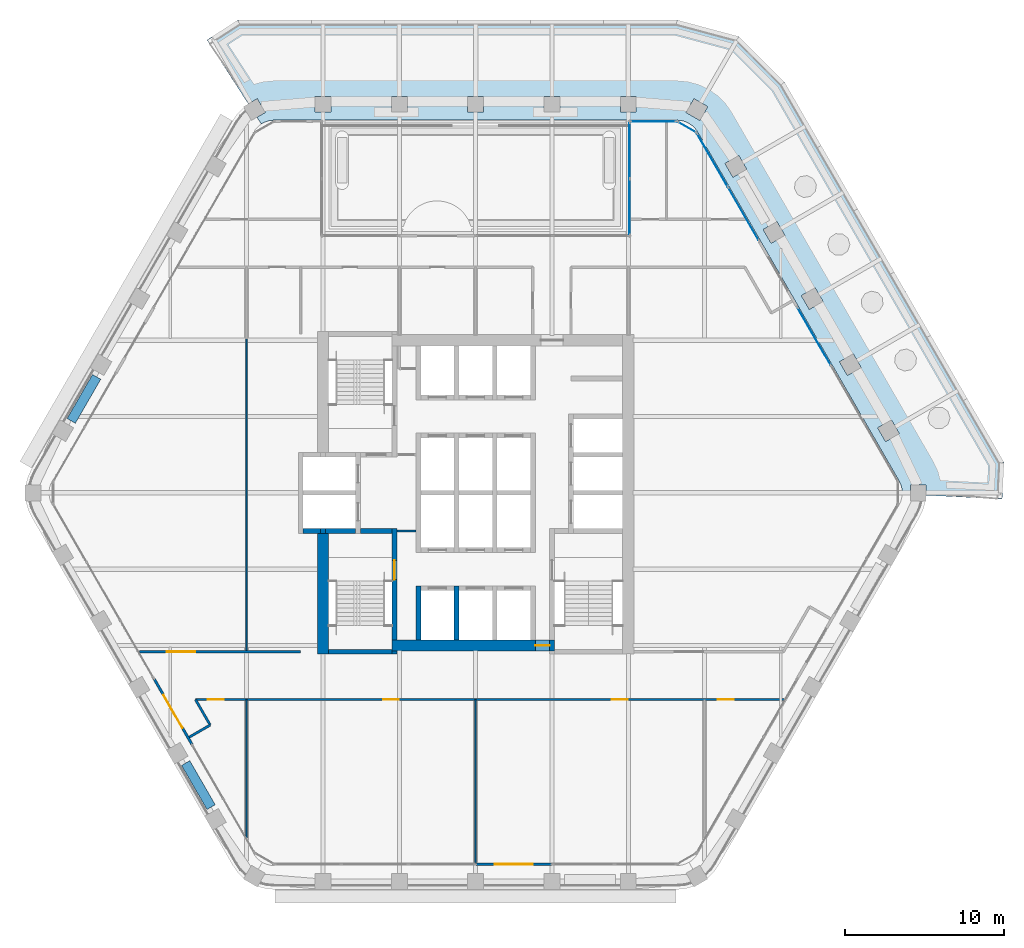
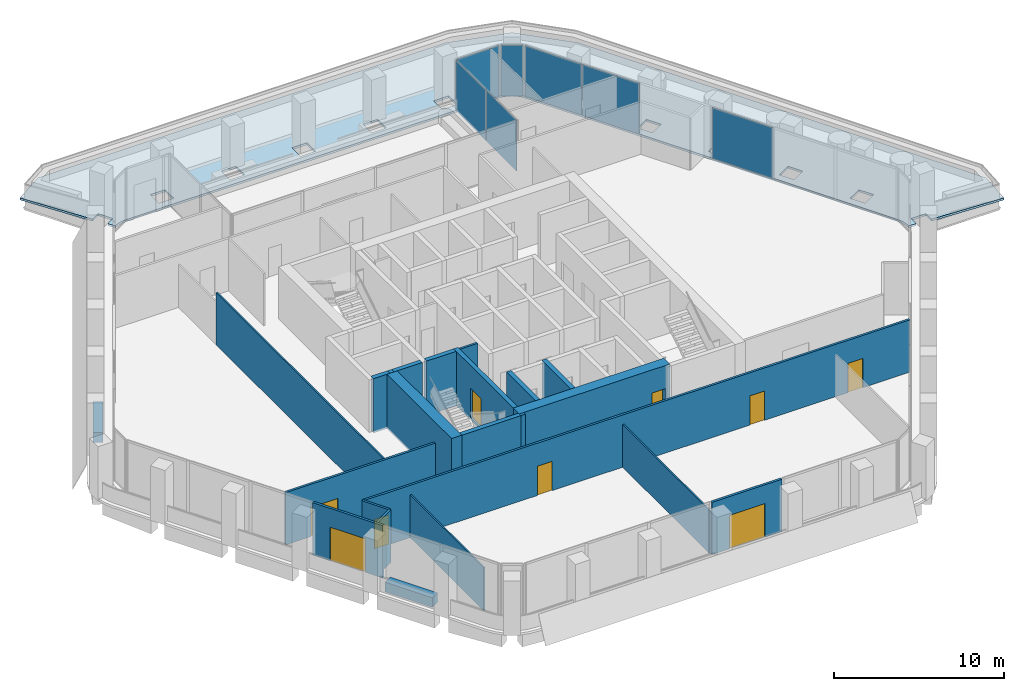
# One storey, part 11 of 17: 23 walls, 9 doors, 7 plates, 1 slab, 9 openings, 5 elements without a shape of their own.
"""IFC4 building model written with IfcOpenShell, lengths in metres."""

from ifc_helpers import new_model, si_unit, direction, frame, frame_2d, origin, origin_2d, place, context, subcontext, project, spatial, polyline, rectangle, outline, extrude, material, layer, layer_set, type_object, element, fill, aggregate, save


model = new_model("IFC4")

# Units and contexts
model_context = context("Model", 3, precision=1e-05, world=origin(), true_north=direction((0.0, 1.0)))
body_context = subcontext(model_context, "Body", "Model", "MODEL_VIEW")
ifc_project = project(units=[si_unit("LENGTHUNIT", "METRE"), si_unit("AREAUNIT", "SQUARE_METRE"), si_unit("VOLUMEUNIT", "CUBIC_METRE"), si_unit("PLANEANGLEUNIT", "RADIAN"), si_unit("MASSUNIT", "GRAM", prefix="KILO")], contexts=[model_context])

# Site, building, storey
site_placement = place(None, origin())
site = spatial("IfcSite", under=ifc_project, at=site_placement, CompositionType="ELEMENT")
building_placement = place(site_placement, origin())
building = spatial("IfcBuilding", under=site, at=building_placement, Name="Kolab Exchange Tower", CompositionType="ELEMENT")
storey_placement = place(building_placement, frame((0.0, 0.0, 166.10009765625)))
storey = spatial("IfcBuildingStorey", under=building, at=storey_placement, Name="L34", CompositionType="ELEMENT", Elevation=166.10009765625)

# Slab
ifc_material_1 = material(Name="Concrete C35/45", Category="concrete")
ifc_layer_1 = layer(ifc_material_1, 0.14990234375)
ifc_layer_set_1 = layer_set([ifc_layer_1], Name="Concrete C35/45")
slab_type = type_object("IfcSlabType", Name="TERRACE SLAB 150 PLANTED", PredefinedType="ROOF", material=ifc_layer_set_1)
slab_placement = place(storey_placement, frame((0.0, 0.0, -0.150146484375)))
element("IfcSlab", 1, at=slab_placement, inside=storey, type_object=slab_type, Name="Roof terrace", PredefinedType="ROOF", context=body_context, shape_type="SweptSolid", body=[
    extrude(outline(polyline([(-16.8955078125, 28.4853515625), (-14.2978515625, 24.464599609375), (-13.73486328125, 24.78955078125), (-13.23486328125, 23.923583984375), (-13.754638671875, 23.62353515625), (-13.4794921875, 23.197509765625), (-13.479248046875, 23.197509765625), (-13.418212890625, 23.240478515625), (-13.41796875, 23.240478515625), (-13.417724609375, 23.24072265625), (-13.18115234375, 23.35107421875), (-13.180908203125, 23.35107421875), (-12.9287109375, 23.418701171875), (-12.928466796875, 23.418701171875), (-12.92822265625, 23.418701171875), (-12.66796875, 23.44140625), (-12.66796875, 23.441650390625), (12.66796875, 23.441650390625), (12.66796875, 23.44140625), (12.92822265625, 23.418701171875), (12.928466796875, 23.418701171875), (12.9287109375, 23.418701171875), (13.180908203125, 23.35107421875), (13.18115234375, 23.35107421875), (13.417724609375, 23.24072265625), (13.41796875, 23.240478515625), (13.418212890625, 23.240478515625), (13.632080078125, 23.0908203125), (13.632080078125, 23.090576171875), (13.63232421875, 23.090576171875), (13.81689453125, 22.90576171875), (13.817138671875, 22.905517578125), (13.967041015625, 22.691650390625), (13.967041015625, 22.69140625), (26.635009765625, 0.75), (26.745361328125, 0.51318359375), (26.745361328125, 0.512939453125), (26.81298828125, 0.2607421875), (26.81298828125, 0.260498046875), (26.813232421875, 0.26025390625), (26.8359375, 0.000244140625), (26.8359375, 0.0), (26.8359375, -0.000244140625), (26.829345703125, -0.07470703125), (27.3359375, -0.10009765625), (27.3359375, 0.5), (28.3359375, 0.5), (28.3359375, -0.150146484375), (33.11669921875, -0.389404296875), (33.11669921875, -0.38916015625), (33.232421875, 1.922607421875), (33.232421875, 1.9228515625), (19.4228515625, 25.841552734375), (16.56787109375, 28.696533203125), (12.66796875, 29.741455078125), (-14.951171875, 29.741455078125), (-16.8955078125, 28.4853515625)]), holes=[polyline([(-10.10009765625, 23.941650390625), (-10.10009765625, 24.941650390625), (-9.10009765625, 24.941650390625), (-9.10009765625, 23.941650390625), (-10.10009765625, 23.941650390625)]), polyline([(-5.300048828125, 23.941650390625), (-5.300048828125, 24.941650390625), (-4.300048828125, 24.941650390625), (-4.300048828125, 23.941650390625), (-5.300048828125, 23.941650390625)]), polyline([(-0.5, 24.941650390625), (0.5, 24.941650390625), (0.5, 23.941650390625), (-0.5, 23.941650390625), (-0.5, 24.941650390625)]), polyline([(4.300048828125, 23.941650390625), (4.300048828125, 24.941650390625), (5.300048828125, 24.941650390625), (5.300048828125, 23.941650390625), (4.300048828125, 23.941650390625)]), polyline([(25.283935546875, 4.08984375), (26.14990234375, 4.58984375), (26.64990234375, 3.723876953125), (25.783935546875, 3.223876953125), (25.283935546875, 4.08984375)]), polyline([(22.884033203125, 8.246826171875), (23.75, 8.746826171875), (24.25, 7.880859375), (23.384033203125, 7.380859375), (22.884033203125, 8.246826171875)]), polyline([(20.48388671875, 12.40380859375), (21.35009765625, 12.90380859375), (21.85009765625, 12.037841796875), (20.98388671875, 11.537841796875), (20.48388671875, 12.40380859375)]), polyline([(18.083984375, 16.560791015625), (18.949951171875, 17.060791015625), (19.449951171875, 16.194580078125), (18.583984375, 15.694580078125), (18.083984375, 16.560791015625)]), polyline([(15.68408203125, 20.717529296875), (16.550048828125, 21.217529296875), (17.050048828125, 20.3515625), (16.18408203125, 19.8515625), (15.68408203125, 20.717529296875)]), polyline([(13.23486328125, 23.923583984375), (13.73486328125, 24.78955078125), (14.60107421875, 24.28955078125), (14.10107421875, 23.423583984375), (13.23486328125, 23.923583984375)]), polyline([(9.10009765625, 24.941650390625), (10.10009765625, 24.941650390625), (10.10009765625, 23.941650390625), (9.10009765625, 23.941650390625), (9.10009765625, 24.941650390625)])]), origin(), (0.0, 0.0, 1.0), 0.150146484375),
])

# Curtain wall, plates
ifc_material_2 = material(Name="Aluminium EN AW-6063 T6", Category="aluminium")
curtain_wall_type = type_object("IfcCurtainWallType", Name="UNITISED UPPER MID ZONE CURTAIN WALL", PredefinedType="NOTDEFINED", material=ifc_material_2)
curtain_wall_1_placement = place(storey_placement, origin())
curtain_wall_1 = element("IfcCurtainWall", 2, at=curtain_wall_1_placement, inside=storey, type_object=curtain_wall_type, Name="cw/L34/F1-rr-1", PredefinedType="NOTDEFINED")
ifc_material_3 = material(Name="Clear insulated glazing unit", Category="glass")
ifc_layer_2 = layer(ifc_material_3, 0.028076171875)
ifc_layer_set_2 = layer_set([ifc_layer_2], Name="Clear insulated glazing unit")
plate_type = type_object("IfcPlateType", Name="UNITISED UPPER MID ZONE GLASS PANEL 28", PredefinedType="CURTAIN_PANEL", material=ifc_layer_set_2)
plate_1_placement = place(storey_placement, frame((9.679931640625, 17.9765625, 0.06005859375), z_axis=(0.0, 0.0, 1.0), x_axis=(0.0, 1.0, 0.0)))
plate_1 = element("IfcPlate", 3, at=plate_1_placement, type_object=plate_type, Name="CW3 panel 1.1", PredefinedType="CURTAIN_PANEL", context=body_context, shape_type="SweptSolid", body=[
    extrude(rectangle(XDim=3.510009765625, YDim=0.028076171875, at=origin_2d()), origin(), (0.0, 0.0, 1.0), 3.6298828125),
])
plate_2_placement = place(storey_placement, frame((9.679931640625, 21.546630859375, 0.06005859375), z_axis=(0.0, 0.0, 1.0), x_axis=(0.0, 1.0, 0.0)))
plate_2 = element("IfcPlate", 4, at=plate_2_placement, type_object=plate_type, Name="CW3 panel 2.1", PredefinedType="CURTAIN_PANEL", context=body_context, shape_type="SweptSolid", body=[
    extrude(rectangle(XDim=3.510009765625, YDim=0.028076171875, at=origin_2d()), origin(), (0.0, 0.0, 1.0), 3.6298828125),
])
aggregate(curtain_wall_1, [plate_1, plate_2])

# Curtain wall, plate
curtain_wall_2_placement = place(storey_placement, origin())
curtain_wall_2 = element("IfcCurtainWall", 5, at=curtain_wall_2_placement, inside=storey, type_object=curtain_wall_type, Name="cw/L34/F1-r-1", PredefinedType="NOTDEFINED")
plate_3_placement = place(storey_placement, frame((11.174072265625, 23.361572265625, 0.06005859375), z_axis=(0.0, 0.0, 1.0), x_axis=(1.0, 0.0, 0.0)))
plate_3 = element("IfcPlate", 6, at=plate_3_placement, type_object=plate_type, Name="CW3 panel 1.1", PredefinedType="CURTAIN_PANEL", context=body_context, shape_type="SweptSolid", body=[
    extrude(rectangle(XDim=2.867919921875, YDim=0.028076171875, at=origin_2d()), origin(), (0.0, 0.0, 1.0), 3.6298828125),
])
aggregate(curtain_wall_2, [plate_3])

# Curtain wall, plates
curtain_wall_3_placement = place(storey_placement, origin())
curtain_wall_3 = element("IfcCurtainWall", 7, at=curtain_wall_3_placement, inside=storey, type_object=curtain_wall_type, Name="cw/L34/F2-1", PredefinedType="NOTDEFINED")
plate_4_placement = place(storey_placement, frame((14.888671875, 20.93505859375, 0.06005859375), z_axis=(0.0, 0.0, 1.0), x_axis=(0.500000031681, -0.866025385493, 0.0)))
plate_4 = element("IfcPlate", 8, at=plate_4_placement, type_object=plate_type, Name="CW3 panel 1.1", PredefinedType="CURTAIN_PANEL", context=body_context, shape_type="SweptSolid", body=[
    extrude(rectangle(XDim=3.843994140625, YDim=0.028076171875, at=origin_2d()), origin(), (0.0, 0.0, 1.0), 3.6298828125),
])
plate_5_placement = place(storey_placement, frame((16.840576171875, 17.55419921875, 0.06005859375), z_axis=(0.0, 0.0, 1.0), x_axis=(0.500000031681, -0.866025385493, 0.0)))
plate_5 = element("IfcPlate", 9, at=plate_5_placement, type_object=plate_type, Name="CW3 panel 2.1", PredefinedType="CURTAIN_PANEL", context=body_context, shape_type="SweptSolid", body=[
    extrude(rectangle(XDim=3.843994140625, YDim=0.028076171875, at=origin_2d()), origin(), (0.0, 0.0, 1.0), 3.6298828125),
])
aggregate(curtain_wall_3, [plate_4, plate_5])

# Curtain wall, plate
curtain_wall_4_placement = place(storey_placement, origin())
curtain_wall_4 = element("IfcCurtainWall", 10, at=curtain_wall_4_placement, inside=storey, type_object=curtain_wall_type, Name="cw/L34/F2-2", PredefinedType="NOTDEFINED")
plate_6_placement = place(storey_placement, frame((21.294921875, 9.83935546875, 0.06005859375), z_axis=(0.0, 0.0, 1.0), x_axis=(0.499999958358, -0.866025427826, 0.0)))
plate_6 = element("IfcPlate", 11, at=plate_6_placement, type_object=plate_type, Name="CW3 panel 1.1", PredefinedType="CURTAIN_PANEL", context=body_context, shape_type="SweptSolid", body=[
    extrude(rectangle(XDim=4.132568359375, YDim=0.028076171875, at=origin_2d()), origin(), (0.0, 0.0, 1.0), 3.6298828125),
])
aggregate(curtain_wall_4, [plate_6])

curtain_wall_5_placement = place(storey_placement, origin())
curtain_wall_5 = element("IfcCurtainWall", 12, at=curtain_wall_5_placement, inside=storey, type_object=curtain_wall_type, Name="cw/L34/F1F2-corner", PredefinedType="NOTDEFINED")
plate_7_placement = place(storey_placement, frame((13.28271484375, 23.006591796875, 0.06005859375), z_axis=(0.0, 0.0, 1.0), x_axis=(0.866025390869, -0.50000002237, 0.0)))
plate_7 = element("IfcPlate", 13, at=plate_7_placement, type_object=plate_type, Name="CW3 panel 1.1", PredefinedType="CURTAIN_PANEL", context=body_context, shape_type="SweptSolid", body=[
    extrude(rectangle(XDim=1.300048828125, YDim=0.028076171875, at=origin_2d()), origin(), (0.0, 0.0, 1.0), 3.6298828125),
])
aggregate(curtain_wall_5, [plate_7])

# Wall, opening, door
ifc_material_4 = material(Name="Concrete C60/75", Category="concrete")
ifc_layer_3 = layer(ifc_material_4, 0.699951171875)
ifc_layer_set_3 = layer_set([ifc_layer_3], Name="Concrete C60/75")
wall_type_1 = type_object("IfcWallType", Name="CORE WALL 700 C60/75", PredefinedType="SHEAR", material=ifc_layer_set_3)
wall_1_placement = place(storey_placement, frame((-5.25, -9.60009765625, -0.150146484375), z_axis=(0.0, 0.0, 1.0), x_axis=(1.0, 0.0, 0.0)))
wall_1 = element("IfcWall", 14, at=wall_1_placement, inside=storey, type_object=wall_type_1, Name="wall/L34/core/002", PredefinedType="SHEAR", context=body_context, shape_type="SweptSolid", body=[
    extrude(rectangle(XDim=10.199951171875, YDim=0.699951171875, at=frame_2d((5.10009765625, 0.0))), origin(), (0.0, 0.0, 1.0), 3.900146484375),
])
opening_1_placement = place(wall_1_placement, frame((9.0, 0.0, 0.14990234375)))
opening_1 = element("IfcOpeningElement", 15, at=opening_1_placement, cuts=wall_1, Name="Opening D6-287", PredefinedType="OPENING", context=body_context, shape_type="SweptSolid", body=[
    extrude(rectangle(XDim=0.89990234375, YDim=2.10009765625, at=frame_2d((0.449951171875, 1.050048828125))), frame((0.0, 0.35986328125, 0.0), z_axis=(0.0, -1.0, 0.0), x_axis=(1.0, 0.0, 0.0)), (0.0, 0.0, 1.0), 0.719970703125),
])
ifc_material_5 = material(Name="Steel S235", Category="steel")
door_type_1 = type_object("IfcDoorType", Name="CORE DOOR 900 EI 120", OperationType="SINGLE_SWING_LEFT", PredefinedType="DOOR", material=ifc_material_5)
door_1_placement = place(opening_1_placement, origin())
door_1 = element("IfcDoor", 16, at=door_1_placement, inside=storey, type_object=door_type_1, Name="Core lobby door", OperationType="SINGLE_SWING_LEFT", OverallHeight=2.10009765625, OverallWidth=0.89990234375, PredefinedType="DOOR", context=body_context, shape_type="SweptSolid", body=[
    extrude(rectangle(XDim=0.89990234375, YDim=2.10009765625, at=frame_2d((0.449951171875, 1.050048828125))), frame((0.0, 0.02490234375, 0.0), z_axis=(0.0, -1.0, 0.0), x_axis=(1.0, 0.0, 0.0)), (0.0, 0.0, 1.0), 0.050048828125),
])
fill(opening_1, door_1)

# Wall
wall_2_placement = place(storey_placement, frame((-9.60009765625, -10.14990234375, -0.150146484375), z_axis=(0.0, 0.0, 1.0), x_axis=(0.0, 1.0, 0.0)))
element("IfcWall", 17, at=wall_2_placement, inside=storey, type_object=wall_type_1, Name="wall/L34/core/034", PredefinedType="SHEAR", context=body_context, shape_type="SweptSolid", body=[
    extrude(rectangle(XDim=7.599853515625, YDim=0.699951171875, at=frame_2d((3.7998046875, 0.0))), origin(), (0.0, 0.0, 1.0), 3.900146484375),
])

# Wall, opening, door
ifc_layer_4 = layer(ifc_material_2, 0.159912109375)
ifc_layer_set_4 = layer_set([ifc_layer_4], Name="Aluminium EN AW-6063 T6")
wall_type_2 = type_object("IfcWallType", Name="DOOR SURROUND WALL 160 ALUMINIUM FRAMED", PredefinedType="PARTITIONING", material=ifc_layer_set_4)
wall_3_placement = place(storey_placement, frame((4.77001953125, -23.361572265625, 0.0), z_axis=(0.0, 0.0, 1.0), x_axis=(-1.0, 0.0, 0.0)))
wall_3 = element("IfcWall", 18, at=wall_3_placement, inside=storey, type_object=wall_type_2, Name="Door surround wall", PredefinedType="PARTITIONING", context=body_context, shape_type="SweptSolid", body=[
    extrude(rectangle(XDim=4.739990234375, YDim=0.159912109375, at=frame_2d((2.3701171875, 0.0))), origin(), (0.0, 0.0, 1.0), 3.75),
])
opening_2_placement = place(wall_3_placement, frame((1.169921875, 0.0, 0.0)))
opening_2 = element("IfcOpeningElement", 19, at=opening_2_placement, cuts=wall_3, Name="Opening GD1-067", PredefinedType="OPENING", context=body_context, shape_type="SweptSolid", body=[
    extrude(rectangle(XDim=2.39990234375, YDim=2.39990234375, at=frame_2d((1.199951171875, 1.199951171875))), frame((0.0, 0.08984375, 0.0), z_axis=(0.0, -1.0, 0.0), x_axis=(1.0, 0.0, 0.0)), (0.0, 0.0, 1.0), 0.179931640625),
])
door_type_2 = type_object("IfcDoorType", Name="LOGGIA SLIDING GLASS DOOR 2400 X 2400", OperationType="DOUBLE_DOOR_SINGLE_SWING", PredefinedType="DOOR", material=ifc_material_2)
door_2_placement = place(opening_2_placement, origin())
door_2 = element("IfcDoor", 20, at=door_2_placement, inside=storey, type_object=door_type_2, Name="Loggia door", OperationType="DOUBLE_DOOR_SLIDING", OverallHeight=2.39990234375, OverallWidth=2.39990234375, PredefinedType="DOOR", context=body_context, shape_type="SweptSolid", body=[
    extrude(rectangle(XDim=2.39990234375, YDim=2.39990234375, at=frame_2d((1.199951171875, 1.199951171875))), frame((0.0, 0.02490234375, 0.0), z_axis=(0.0, -1.0, 0.0), x_axis=(1.0, 0.0, 0.0)), (0.0, 0.0, 1.0), 0.050048828125),
])
fill(opening_2, door_2)

wall_4_placement = place(storey_placement, frame((-17.8466796875, -15.811767578125, 0.0), z_axis=(0.0, 0.0, 1.0), x_axis=(-0.5000167099, 0.866015756104, 0.0)))
wall_4 = element("IfcWall", 21, at=wall_4_placement, inside=storey, type_object=wall_type_2, Name="Door surround wall", PredefinedType="PARTITIONING", context=body_context, shape_type="SweptSolid", body=[
    extrude(rectangle(XDim=4.739990234375, YDim=0.159912109375, at=frame_2d((2.3701171875, 0.0))), origin(), (0.0, 0.0, 1.0), 3.75),
])
opening_3_placement = place(wall_4_placement, frame((1.169921875, 0.0, 0.0)))
opening_3 = element("IfcOpeningElement", 22, at=opening_3_placement, cuts=wall_4, Name="Opening GD1-068", PredefinedType="OPENING", context=body_context, shape_type="SweptSolid", body=[
    extrude(rectangle(XDim=2.39990234375, YDim=2.39990234375, at=frame_2d((1.199951171875, 1.199951171875))), frame((0.0, 0.08984375, 0.0), z_axis=(0.0, -1.0, 0.0), x_axis=(1.0, 0.0, 0.0)), (0.0, 0.0, 1.0), 0.179931640625),
])
door_3_placement = place(opening_3_placement, origin())
door_3 = element("IfcDoor", 23, at=door_3_placement, inside=storey, type_object=door_type_2, Name="Loggia door", OperationType="DOUBLE_DOOR_SLIDING", OverallHeight=2.39990234375, OverallWidth=2.39990234375, PredefinedType="DOOR", context=body_context, shape_type="SweptSolid", body=[
    extrude(rectangle(XDim=2.39990234375, YDim=2.39990234375, at=frame_2d((1.199951171875, 1.199951171875))), frame((0.0, 0.02490234375, 0.0), z_axis=(0.0, -1.0, 0.0), x_axis=(1.0, 0.0, 0.0)), (0.0, 0.0, 1.0), 0.050048828125),
])
fill(opening_3, door_3)

# Walls
ifc_material_6 = material(Name="Concrete C50/60", Category="concrete")
ifc_layer_5 = layer(ifc_material_6, 0.300048828125)
ifc_layer_set_5 = layer_set([ifc_layer_5], Name="Concrete C50/60")
wall_type_3 = type_object("IfcWallType", Name="LIFT SHAFT WALL 300 C50/60", PredefinedType="STANDARD", material=ifc_layer_set_5)
wall_5_placement = place(storey_placement, frame((-10.85009765625, -2.39990234375, -0.150146484375), z_axis=(0.0, 0.0, 1.0), x_axis=(1.0, 0.0, 0.0)))
element("IfcWall", 24, at=wall_5_placement, inside=storey, type_object=wall_type_3, Name="wall/L34/core/009", PredefinedType="STANDARD", context=body_context, shape_type="SweptSolid", body=[
    extrude(rectangle(XDim=1.10009765625, YDim=0.300048828125, at=frame_2d((0.550048828125, 0.0))), origin(), (0.0, 0.0, 1.0), 3.900146484375),
])
for number, where, z_axis, x_axis, name in (
    (25, (-3.60009765625, -9.25, -0.150146484375), (0.0, 0.0, 1.0), (0.0, 1.0, 0.0), "wall/L34/core/043"),
    (26, (-1.199951171875, -9.25, -0.150146484375), (0.0, 0.0, 1.0), (0.0, 1.0, 0.0), "wall/L34/core/046"),
):
    element("IfcWall", number, at=place(storey_placement, frame(where, z_axis=z_axis, x_axis=x_axis)), inside=storey, type_object=wall_type_3, Name=name, PredefinedType="STANDARD", context=body_context, shape_type="SweptSolid", body=[
        extrude(rectangle(XDim=3.39990234375, YDim=0.300048828125, at=frame_2d((1.699951171875, 0.0))), origin(), (0.0, 0.0, 1.0), 3.900146484375),
    ])
ifc_material_7 = material(Name="Gypsum board", Category="gypsum")
ifc_layer_6 = layer(ifc_material_7, 0.10009765625)
ifc_layer_set_6 = layer_set([ifc_layer_6], Name="Gypsum board")
wall_type_4 = type_object("IfcWallType", Name="PARTITION 100", PredefinedType="PARTITIONING", material=ifc_layer_set_6)
wall_6_placement = place(storey_placement, frame((0.0, -23.281494140625, 0.0), z_axis=(0.0, 0.0, 1.0), x_axis=(0.0, 1.0, 0.0)))
element("IfcWall", 27, at=wall_6_placement, inside=storey, type_object=wall_type_4, Name="Partition 005", PredefinedType="PARTITIONING", context=body_context, shape_type="SweptSolid", body=[
    extrude(rectangle(XDim=10.281494140625, YDim=0.10009765625, at=frame_2d((5.140625, 0.0))), origin(), (0.0, 0.0, 1.0), 3.06591796875),
])
wall_7_placement = place(storey_placement, frame((-14.39990234375, -21.701416015625, 0.0), z_axis=(0.0, 0.0, 1.0), x_axis=(0.0, 1.0, 0.0)))
element("IfcWall", 28, at=wall_7_placement, inside=storey, type_object=wall_type_4, Name="Partition 010", PredefinedType="PARTITIONING", context=body_context, shape_type="SweptSolid", body=[
    extrude(rectangle(XDim=8.701416015625, YDim=0.10009765625, at=frame_2d((4.3505859375, 0.0))), origin(), (0.0, 0.0, 1.0), 3.06591796875),
])
wall_8_placement = place(storey_placement, frame((-14.39990234375, -10.0, 0.0), z_axis=(0.0, 0.0, 1.0), x_axis=(0.0, 1.0, 0.0)))
element("IfcWall", 29, at=wall_8_placement, inside=storey, type_object=wall_type_4, Name="Partition 011", PredefinedType="PARTITIONING", context=body_context, shape_type="SweptSolid", body=[
    extrude(rectangle(XDim=19.693603515625, YDim=0.10009765625, at=frame_2d((9.8466796875, 0.0))), origin(), (0.0, 0.0, 1.0), 3.75),
])
ifc_layer_7 = layer(ifc_material_7, 0.14990234375)
ifc_layer_set_7 = layer_set([ifc_layer_7], Name="Gypsum board")
wall_type_5 = type_object("IfcWallType", Name="PARTITION 150 FIRE-RATED", PredefinedType="PARTITIONING", material=ifc_layer_set_7)
wall_9_placement = place(storey_placement, frame((-17.62255859375, -13.0, 0.0), z_axis=(0.0, 0.0, 1.0), x_axis=(0.500007577232, -0.866021029023, 0.0)))
element("IfcWall", 30, at=wall_9_placement, inside=storey, type_object=wall_type_5, Name="Partition 012", PredefinedType="PARTITIONING", context=body_context, shape_type="SweptSolid", body=[
    extrude(rectangle(XDim=1.85302734375, YDim=0.14990234375, at=frame_2d((0.926513671875, 0.0))), origin(), (0.0, 0.0, 1.0), 3.75),
])
wall_10_placement = place(storey_placement, frame((-18.012451171875, -15.36474609375, 0.0), z_axis=(0.0, 0.0, 1.0), x_axis=(0.866030456496, 0.499991248344, 0.0)))
element("IfcWall", 31, at=wall_10_placement, inside=storey, type_object=wall_type_5, Name="Partition 016", PredefinedType="PARTITIONING", context=body_context, shape_type="SweptSolid", body=[
    extrude(rectangle(XDim=1.52001953125, YDim=0.14990234375, at=frame_2d((0.760009765625, 0.0))), origin(), (0.0, 0.0, 1.0), 3.75),
])

# Wall, openings, doors
wall_11_placement = place(storey_placement, frame((-17.62255859375, -13.0, 0.0), z_axis=(0.0, 0.0, 1.0), x_axis=(1.0, 0.0, 0.0)))
wall_11 = element("IfcWall", 32, at=wall_11_placement, inside=storey, type_object=wall_type_5, Name="Partition 018", PredefinedType="PARTITIONING", context=body_context, shape_type="SweptSolid", body=[
    extrude(rectangle(XDim=37.04638671875, YDim=0.14990234375, at=frame_2d((18.523193359375, 0.0))), origin(), (0.0, 0.0, 1.0), 3.75),
])
opening_4_placement = place(wall_11_placement, frame((0.780517578125, 0.0, 0.0)))
opening_4 = element("IfcOpeningElement", 33, at=opening_4_placement, cuts=wall_11, Name="Opening D1-468", PredefinedType="OPENING", context=body_context, shape_type="SweptSolid", body=[
    extrude(rectangle(XDim=1.0, YDim=2.10009765625, at=frame_2d((0.5, 1.050048828125))), frame((0.0, 0.0849609375, 0.0), z_axis=(0.0, -1.0, 0.0), x_axis=(1.0, 0.0, 0.0)), (0.0, 0.0, 1.0), 0.169921875),
])
opening_5_placement = place(wall_11_placement, frame((11.797607421875, 0.0, 0.0)))
opening_5 = element("IfcOpeningElement", 34, at=opening_5_placement, cuts=wall_11, Name="Opening D1-469", PredefinedType="OPENING", context=body_context, shape_type="SweptSolid", body=[
    extrude(rectangle(XDim=1.0, YDim=2.10009765625, at=frame_2d((0.5, 1.050048828125))), frame((0.0, 0.0849609375, 0.0), z_axis=(0.0, -1.0, 0.0), x_axis=(1.0, 0.0, 0.0)), (0.0, 0.0, 1.0), 0.169921875),
])
opening_6_placement = place(wall_11_placement, frame((26.197509765625, 0.0, 0.0)))
opening_6 = element("IfcOpeningElement", 35, at=opening_6_placement, cuts=wall_11, Name="Opening D1-470", PredefinedType="OPENING", context=body_context, shape_type="SweptSolid", body=[
    extrude(rectangle(XDim=1.0, YDim=2.10009765625, at=frame_2d((0.5, 1.050048828125))), frame((0.0, 0.0849609375, 0.0), z_axis=(0.0, -1.0, 0.0), x_axis=(1.0, 0.0, 0.0)), (0.0, 0.0, 1.0), 0.169921875),
])
opening_7_placement = place(wall_11_placement, frame((32.85693359375, 0.0, 0.0)))
opening_7 = element("IfcOpeningElement", 36, at=opening_7_placement, cuts=wall_11, Name="Opening D1-471", PredefinedType="OPENING", context=body_context, shape_type="SweptSolid", body=[
    extrude(rectangle(XDim=1.0, YDim=2.10009765625, at=frame_2d((0.5, 1.050048828125))), frame((0.0, 0.0849609375, 0.0), z_axis=(0.0, -1.0, 0.0), x_axis=(1.0, 0.0, 0.0)), (0.0, 0.0, 1.0), 0.169921875),
])
door_type_3 = type_object("IfcDoorType", Name="FLUSH DOOR 1000 FD60", OperationType="SINGLE_SWING_LEFT", PredefinedType="DOOR", material=ifc_material_5)
door_4_placement = place(opening_4_placement, frame((1.0, 0.0, 0.0), z_axis=(0.0, 0.0, 1.0), x_axis=(-1.0, 0.0, 0.0)))
door_4 = element("IfcDoor", 37, at=door_4_placement, inside=storey, type_object=door_type_3, Name="Door L34-036", OperationType="SINGLE_SWING_LEFT", OverallHeight=2.10009765625, OverallWidth=1.0, PredefinedType="DOOR", context=body_context, shape_type="SweptSolid", body=[
    extrude(rectangle(XDim=1.0, YDim=2.10009765625, at=frame_2d((0.5, 1.050048828125))), frame((0.0, 0.02490234375, 0.0), z_axis=(0.0, -1.0, 0.0), x_axis=(1.0, 0.0, 0.0)), (0.0, 0.0, 1.0), 0.050048828125),
])
fill(opening_4, door_4)
door_5_placement = place(opening_5_placement, frame((1.0, 0.0, 0.0), z_axis=(0.0, 0.0, 1.0), x_axis=(-1.0, 0.0, 0.0)))
door_5 = element("IfcDoor", 38, at=door_5_placement, inside=storey, type_object=door_type_3, Name="Door L34-037", OperationType="SINGLE_SWING_RIGHT", OverallHeight=2.10009765625, OverallWidth=1.0, PredefinedType="DOOR", context=body_context, shape_type="SweptSolid", body=[
    extrude(rectangle(XDim=1.0, YDim=2.10009765625, at=frame_2d((0.5, 1.050048828125))), frame((0.0, 0.02490234375, 0.0), z_axis=(0.0, -1.0, 0.0), x_axis=(1.0, 0.0, 0.0)), (0.0, 0.0, 1.0), 0.050048828125),
])
fill(opening_5, door_5)
door_6_placement = place(opening_6_placement, frame((1.0, 0.0, 0.0), z_axis=(0.0, 0.0, 1.0), x_axis=(-1.0, 0.0, 0.0)))
door_6 = element("IfcDoor", 39, at=door_6_placement, inside=storey, type_object=door_type_3, Name="Door L34-038", OperationType="SINGLE_SWING_RIGHT", OverallHeight=2.10009765625, OverallWidth=1.0, PredefinedType="DOOR", context=body_context, shape_type="SweptSolid", body=[
    extrude(rectangle(XDim=1.0, YDim=2.10009765625, at=frame_2d((0.5, 1.050048828125))), frame((0.0, 0.02490234375, 0.0), z_axis=(0.0, -1.0, 0.0), x_axis=(1.0, 0.0, 0.0)), (0.0, 0.0, 1.0), 0.050048828125),
])
fill(opening_6, door_6)
door_7_placement = place(opening_7_placement, frame((1.0, 0.0, 0.0), z_axis=(0.0, 0.0, 1.0), x_axis=(-1.0, 0.0, 0.0)))
door_7 = element("IfcDoor", 40, at=door_7_placement, inside=storey, type_object=door_type_3, Name="Door L34-039", OperationType="SINGLE_SWING_LEFT", OverallHeight=2.10009765625, OverallWidth=1.0, PredefinedType="DOOR", context=body_context, shape_type="SweptSolid", body=[
    extrude(rectangle(XDim=1.0, YDim=2.10009765625, at=frame_2d((0.5, 1.050048828125))), frame((0.0, 0.02490234375, 0.0), z_axis=(0.0, -1.0, 0.0), x_axis=(1.0, 0.0, 0.0)), (0.0, 0.0, 1.0), 0.050048828125),
])
fill(opening_7, door_7)

# Wall, opening, door
wall_12_placement = place(storey_placement, frame((-21.156005859375, -10.0, 0.0), z_axis=(0.0, 0.0, 1.0), x_axis=(1.0, 0.0, 0.0)))
wall_12 = element("IfcWall", 41, at=wall_12_placement, inside=storey, type_object=wall_type_5, Name="Partition 019", PredefinedType="PARTITIONING", context=body_context, shape_type="SweptSolid", body=[
    extrude(rectangle(XDim=10.156005859375, YDim=0.14990234375, at=frame_2d((5.078125, 0.0))), origin(), (0.0, 0.0, 1.0), 3.75),
])
opening_8_placement = place(wall_12_placement, frame((1.734619140625, 0.0, 0.0)))
opening_8 = element("IfcOpeningElement", 42, at=opening_8_placement, cuts=wall_12, Name="Opening D2-049", PredefinedType="OPENING", context=body_context, shape_type="SweptSolid", body=[
    extrude(rectangle(XDim=1.800048828125, YDim=2.10009765625, at=frame_2d((0.89990234375, 1.050048828125))), frame((0.0, 0.0849609375, 0.0), z_axis=(0.0, -1.0, 0.0), x_axis=(1.0, 0.0, 0.0)), (0.0, 0.0, 1.0), 0.169921875),
])
door_type_4 = type_object("IfcDoorType", Name="DOUBLE DOOR 1800 FD60", OperationType="DOUBLE_DOOR_SINGLE_SWING", PredefinedType="DOOR", material=ifc_material_5)
door_8_placement = place(opening_8_placement, origin())
door_8 = element("IfcDoor", 43, at=door_8_placement, inside=storey, type_object=door_type_4, Name="Door L34-041", OperationType="SINGLE_SWING_LEFT", OverallHeight=2.10009765625, OverallWidth=1.800048828125, PredefinedType="DOOR", context=body_context, shape_type="SweptSolid", body=[
    extrude(rectangle(XDim=1.800048828125, YDim=2.10009765625, at=frame_2d((0.89990234375, 1.050048828125))), frame((0.0, 0.02490234375, 0.0), z_axis=(0.0, -1.0, 0.0), x_axis=(1.0, 0.0, 0.0)), (0.0, 0.0, 1.0), 0.050048828125),
])
fill(opening_8, door_8)

# Walls
wall_13_placement = place(storey_placement, frame((-4.949951171875, -2.39990234375, 0.0), z_axis=(0.0, 0.0, 1.0), x_axis=(1.0, 0.0, 0.0)))
element("IfcWall", 44, at=wall_13_placement, inside=storey, type_object=wall_type_5, Name="Fire partition", PredefinedType="PARTITIONING", context=body_context, shape_type="SweptSolid", body=[
    extrude(rectangle(XDim=1.199951171875, YDim=0.14990234375, at=frame_2d((0.60009765625, 0.0))), origin(), (0.0, 0.0, 1.0), 3.75),
])
ifc_material_8 = material(Name="Granite facing", Category="masonry")
ifc_layer_8 = layer(ifc_material_8, 0.0400390625)
ifc_material_9 = material(Name="Concrete C40/50 precast", Category="concrete")
ifc_layer_9 = layer(ifc_material_9, 0.56005859375)
ifc_layer_set_8 = layer_set([ifc_layer_8, ifc_layer_9], Name="Concrete C40/50 precast")
wall_type_6 = type_object("IfcWallType", Name="PLANTER BOX 600 X 700 SOIL DEPTH 550", PredefinedType="USERDEFINED", material=ifc_layer_set_8)
wall_14_placement = place(storey_placement, frame((-16.636962890625, -19.766845703125, 0.0), z_axis=(0.0, 0.0, 1.0), x_axis=(-0.500028443584, 0.866008981251, 0.0)))
element("IfcWall", 45, at=wall_14_placement, inside=storey, type_object=wall_type_6, Name="Planter", ObjectType="PLANTER", PredefinedType="USERDEFINED", context=body_context, shape_type="SweptSolid", body=[
    extrude(rectangle(XDim=3.199951171875, YDim=0.60009765625, at=frame_2d((1.60009765625, 0.0))), origin(), (0.0, 0.0, 1.0), 0.699951171875),
])
wall_15_placement = place(storey_placement, frame((-25.43701171875, 4.524658203125, 0.0), z_axis=(0.0, 0.0, 1.0), x_axis=(0.499938187974, 0.866061088033, 0.0)))
element("IfcWall", 46, at=wall_15_placement, inside=storey, type_object=wall_type_6, Name="Planter", ObjectType="PLANTER", PredefinedType="USERDEFINED", context=body_context, shape_type="SweptSolid", body=[
    extrude(rectangle(XDim=3.2001953125, YDim=0.60009765625, at=frame_2d((1.60009765625, 0.0))), origin(), (0.0, 0.0, 1.0), 0.699951171875),
])
ifc_layer_10 = layer(ifc_material_6, 0.300048828125)
ifc_layer_set_9 = layer_set([ifc_layer_10], Name="Concrete C50/60")
wall_type_7 = type_object("IfcWallType", Name="STAIR ENCLOSURE WALL 300 C50/60", PredefinedType="STANDARD", material=ifc_layer_set_9)
wall_16_placement = place(storey_placement, frame((-9.25, -10.0, -0.150146484375), z_axis=(0.0, 0.0, 1.0), x_axis=(1.0, 0.0, 0.0)))
element("IfcWall", 47, at=wall_16_placement, inside=storey, type_object=wall_type_7, Name="wall/L34/core/000", PredefinedType="STANDARD", context=body_context, shape_type="SweptSolid", body=[
    extrude(rectangle(XDim=4.0, YDim=0.300048828125, at=frame_2d((2.0, 0.0))), origin(), (0.0, 0.0, 1.0), 3.900146484375),
])
wall_17_placement = place(storey_placement, frame((-9.449951171875, -2.39990234375, -0.150146484375), z_axis=(0.0, 0.0, 1.0), x_axis=(1.0, 0.0, 0.0)))
element("IfcWall", 48, at=wall_17_placement, inside=storey, type_object=wall_type_7, Name="wall/L34/core/010", PredefinedType="STANDARD", context=body_context, shape_type="SweptSolid", body=[
    extrude(rectangle(XDim=1.89990234375, YDim=0.300048828125, at=frame_2d((0.949951171875, 0.0))), origin(), (0.0, 0.0, 1.0), 3.900146484375),
])
wall_18_placement = place(storey_placement, frame((-7.25, -2.39990234375, -0.150146484375), z_axis=(0.0, 0.0, 1.0), x_axis=(1.0, 0.0, 0.0)))
element("IfcWall", 49, at=wall_18_placement, inside=storey, type_object=wall_type_7, Name="wall/L34/core/011", PredefinedType="STANDARD", context=body_context, shape_type="SweptSolid", body=[
    extrude(rectangle(XDim=2.0, YDim=0.300048828125, at=frame_2d((1.0, 0.0))), origin(), (0.0, 0.0, 1.0), 3.900146484375),
])
wall_19_placement = place(storey_placement, frame((-9.60009765625, -2.550048828125, -0.150146484375), z_axis=(0.0, 0.0, 1.0), x_axis=(0.0, 1.0, 0.0)))
element("IfcWall", 50, at=wall_19_placement, inside=storey, type_object=wall_type_7, Name="wall/L34/core/035", PredefinedType="STANDARD", context=body_context, shape_type="SweptSolid", body=[
    extrude(rectangle(XDim=0.300048828125, YDim=0.300048828125, at=frame_2d((0.14990234375, 0.0))), origin(), (0.0, 0.0, 1.0), 3.900146484375),
])
wall_20_placement = place(storey_placement, frame((-5.10009765625, -10.14990234375, -0.150146484375), z_axis=(0.0, 0.0, 1.0), x_axis=(0.0, 1.0, 0.0)))
element("IfcWall", 51, at=wall_20_placement, inside=storey, type_object=wall_type_7, Name="wall/L34/core/039", PredefinedType="STANDARD", context=body_context, shape_type="SweptSolid", body=[
    extrude(rectangle(XDim=0.199951171875, YDim=0.300048828125, at=frame_2d((0.10009765625, 0.0))), origin(), (0.0, 0.0, 1.0), 3.900146484375),
])

# Wall, opening, door
wall_21_placement = place(storey_placement, frame((-5.10009765625, -9.25, -0.150146484375), z_axis=(0.0, 0.0, 1.0), x_axis=(0.0, 1.0, 0.0)))
wall_21 = element("IfcWall", 52, at=wall_21_placement, inside=storey, type_object=wall_type_7, Name="wall/L34/core/040", PredefinedType="STANDARD", context=body_context, shape_type="SweptSolid", body=[
    extrude(rectangle(XDim=7.0, YDim=0.300048828125, at=frame_2d((3.5, 0.0))), origin(), (0.0, 0.0, 1.0), 3.900146484375),
])
opening_9_placement = place(wall_21_placement, frame((3.800048828125, 0.0, 0.14990234375)))
opening_9 = element("IfcOpeningElement", 53, at=opening_9_placement, cuts=wall_21, Name="Opening D4-068", PredefinedType="OPENING", context=body_context, shape_type="SweptSolid", body=[
    extrude(rectangle(XDim=1.199951171875, YDim=2.10009765625, at=frame_2d((0.60009765625, 1.050048828125))), frame((0.0, 0.16015625, 0.0), z_axis=(0.0, -1.0, 0.0), x_axis=(1.0, 0.0, 0.0)), (0.0, 0.0, 1.0), 0.320068359375),
])
door_type_5 = type_object("IfcDoorType", Name="STAIR DOOR 1200 EI 120", OperationType="SINGLE_SWING_LEFT", PredefinedType="DOOR", material=ifc_material_5)
door_9_placement = place(opening_9_placement, origin())
door_9 = element("IfcDoor", 54, at=door_9_placement, inside=storey, type_object=door_type_5, Name="Stair 3 door", OperationType="SINGLE_SWING_RIGHT", OverallHeight=2.10009765625, OverallWidth=1.199951171875, PredefinedType="DOOR", context=body_context, shape_type="SweptSolid", body=[
    extrude(rectangle(XDim=1.199951171875, YDim=2.10009765625, at=frame_2d((0.60009765625, 1.050048828125))), frame((0.0, 0.02490234375, 0.0), z_axis=(0.0, -1.0, 0.0), x_axis=(1.0, 0.0, 0.0)), (0.0, 0.0, 1.0), 0.050048828125),
])
fill(opening_9, door_9)

save(model, "model.ifc")
